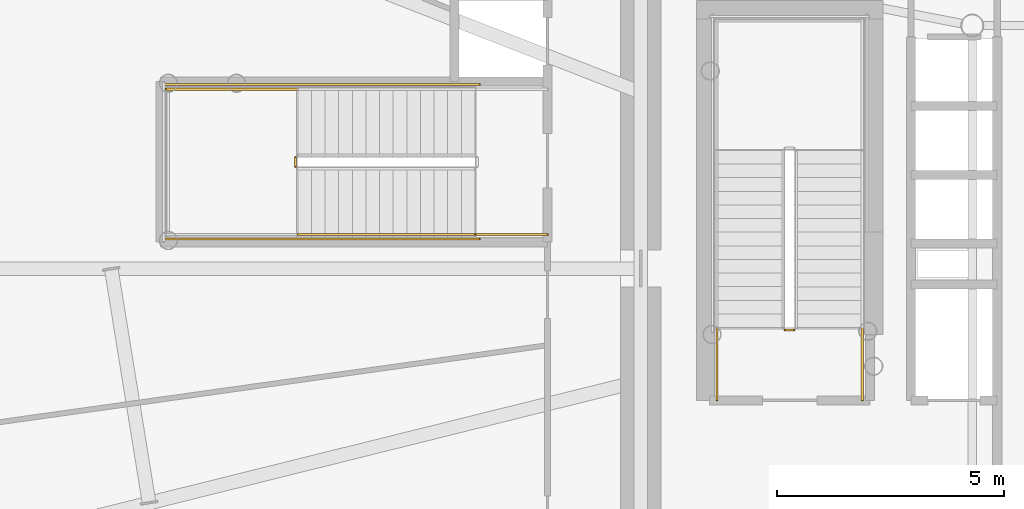
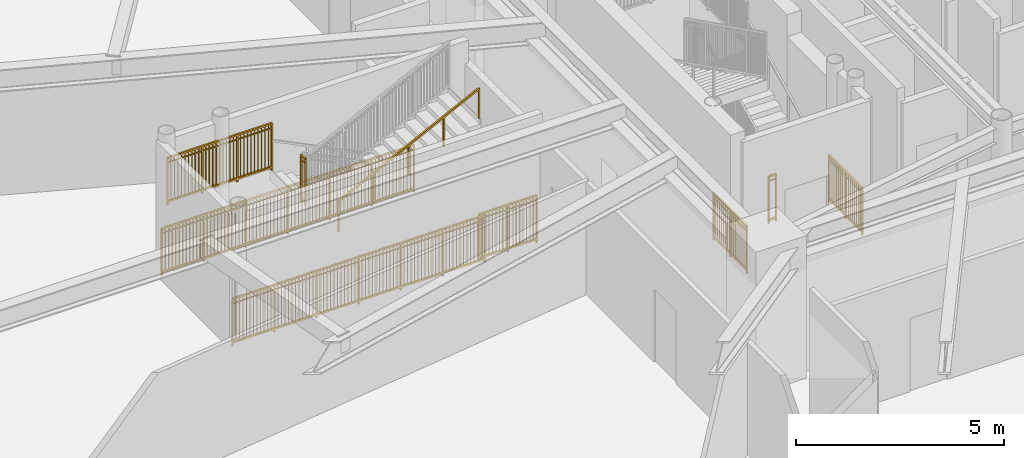
# One storey, part 25 of 35: 9 railings.
"""IFC4 building model written with IfcOpenShell, lengths in metres."""

from ifc_helpers import new_model, si_unit, direction, frame, origin, origin_2d, place, context, subcontext, project, spatial, rectangle, extrude, source, transform, mapped, material, type_object, element, save


model = new_model("IFC4")

# Units and contexts
model_context = context("Model", 3, precision=1e-05, world=origin(), true_north=direction((0.0, 1.0)))
body_context = subcontext(model_context, "Body", "Model", "MODEL_VIEW")
ifc_project = project(units=[si_unit("LENGTHUNIT", "METRE"), si_unit("AREAUNIT", "SQUARE_METRE"), si_unit("VOLUMEUNIT", "CUBIC_METRE"), si_unit("PLANEANGLEUNIT", "RADIAN"), si_unit("MASSUNIT", "GRAM", prefix="KILO")], contexts=[model_context])

# Site, building, storey
site_placement = place(None, origin())
site = spatial("IfcSite", under=ifc_project, at=site_placement, CompositionType="ELEMENT")
building_placement = place(site_placement, origin())
building = spatial("IfcBuilding", under=site, at=building_placement, Name="Linh Dai School and Residence Tower", CompositionType="ELEMENT")
storey_placement = place(building_placement, frame((0.0, 0.0, 49.199951171875)))
storey = spatial("IfcBuildingStorey", under=building, at=storey_placement, Name="L11", CompositionType="ELEMENT", Elevation=49.199951171875)

# Railings
ifc_material_1 = material(Name="Structural Steel S355JR", Category="steel")
railing_type_1 = type_object("IfcRailingType", Name="RL-ST-GUARD-1400", PredefinedType="GUARDRAIL", material=ifc_material_1)
shared_shape_1 = source(origin(), body_context, "Body", "SweptSolid", [
    extrude(rectangle(XDim=0.048095703125, YDim=0.048095703125, at=origin_2d()), frame((0.0, 0.0, 1.3759765625), z_axis=(-1.0, 0.0, 0.0), x_axis=(0.0, -1.0, 0.0)), (0.0, 0.0, 1.0), 0.199951171875),
    extrude(rectangle(XDim=0.048095703125, YDim=0.048095703125, at=origin_2d()), frame((0.0, 0.0, 0.10009765625), z_axis=(-1.0, 0.0, 0.0), x_axis=(0.0, -1.0, 0.0)), (0.0, 0.0, 1.0), 0.199951171875),
    extrude(rectangle(XDim=0.030029296875, YDim=0.030029296875, at=origin_2d()), frame((0.0, 0.0, 1.239990234375), z_axis=(-1.0, 0.0, 0.0), x_axis=(0.0, -1.0, 0.0)), (0.0, 0.0, 1.0), 0.199951171875),
    extrude(rectangle(XDim=0.0419921875, YDim=0.0419921875, at=origin_2d()), origin(), (0.0, 0.0, 1.0), 1.3759765625),
    extrude(rectangle(XDim=0.0419921875, YDim=0.0419921875, at=origin_2d()), frame((-0.199951171875, 0.0, 0.0)), (0.0, 0.0, 1.0), 1.3759765625),
])
railing_1_placement = place(storey_placement, frame((29.429931640625, 25.64990234375, 0.0)))
element("IfcRailing", 1, at=railing_1_placement, inside=storey, type_object=railing_type_1, Name="L11 ST1 stair guard 7", PredefinedType="GUARDRAIL", context=body_context, shape_type="MappedRepresentation", body=[
    mapped(shared_shape_1, transform((0.0, 0.0, 0.0), x_axis=(1.0, 0.0, 0.0), y_axis=(0.0, 1.0, 0.0), z_axis=(0.0, 0.0, 1.0), scale=1.0)),
])
shared_shape_2 = source(origin(), body_context, "Body", "SweptSolid", [
    extrude(rectangle(XDim=0.048095703125, YDim=0.048095703125, at=origin_2d()), frame((0.0, 0.0, 1.3759765625), z_axis=(0.0, 1.0, 0.0), x_axis=(-1.0, 0.0, 0.0)), (0.0, 0.0, 1.0), 1.599853515625),
    extrude(rectangle(XDim=0.048095703125, YDim=0.048095703125, at=origin_2d()), frame((0.0, 0.0, 0.10009765625), z_axis=(0.0, 1.0, 0.0), x_axis=(-1.0, 0.0, 0.0)), (0.0, 0.0, 1.0), 1.599853515625),
    extrude(rectangle(XDim=0.030029296875, YDim=0.030029296875, at=origin_2d()), frame((0.0, 0.0, 1.239990234375), z_axis=(0.0, 1.0, 0.0), x_axis=(-1.0, 0.0, 0.0)), (0.0, 0.0, 1.0), 1.599853515625),
    extrude(rectangle(XDim=0.02001953125, YDim=0.02001953125, at=origin_2d()), frame((0.0, 0.093994140625, 0.10009765625)), (0.0, 0.0, 1.0), 1.251708984375),
    extrude(rectangle(XDim=0.02001953125, YDim=0.02001953125, at=origin_2d()), frame((0.0, 0.188232421875, 0.10009765625)), (0.0, 0.0, 1.0), 1.251708984375),
    extrude(rectangle(XDim=0.02001953125, YDim=0.02001953125, at=origin_2d()), frame((0.0, 0.2822265625, 0.10009765625)), (0.0, 0.0, 1.0), 1.251708984375),
    extrude(rectangle(XDim=0.02001953125, YDim=0.02001953125, at=origin_2d()), frame((0.0, 0.37646484375, 0.10009765625)), (0.0, 0.0, 1.0), 1.251708984375),
    extrude(rectangle(XDim=0.02001953125, YDim=0.02001953125, at=origin_2d()), frame((0.0, 0.470458984375, 0.10009765625)), (0.0, 0.0, 1.0), 1.251708984375),
    extrude(rectangle(XDim=0.02001953125, YDim=0.02001953125, at=origin_2d()), frame((0.0, 0.564697265625, 0.10009765625)), (0.0, 0.0, 1.0), 1.251708984375),
    extrude(rectangle(XDim=0.02001953125, YDim=0.02001953125, at=origin_2d()), frame((0.0, 0.65869140625, 0.10009765625)), (0.0, 0.0, 1.0), 1.251708984375),
    extrude(rectangle(XDim=0.02001953125, YDim=0.02001953125, at=origin_2d()), frame((0.0, 0.7529296875, 0.10009765625)), (0.0, 0.0, 1.0), 1.251708984375),
    extrude(rectangle(XDim=0.02001953125, YDim=0.02001953125, at=origin_2d()), frame((0.0, 0.846923828125, 0.10009765625)), (0.0, 0.0, 1.0), 1.251708984375),
    extrude(rectangle(XDim=0.02001953125, YDim=0.02001953125, at=origin_2d()), frame((0.0, 0.941162109375, 0.10009765625)), (0.0, 0.0, 1.0), 1.251708984375),
    extrude(rectangle(XDim=0.02001953125, YDim=0.02001953125, at=origin_2d()), frame((0.0, 1.03515625, 0.10009765625)), (0.0, 0.0, 1.0), 1.251708984375),
    extrude(rectangle(XDim=0.02001953125, YDim=0.02001953125, at=origin_2d()), frame((0.0, 1.12939453125, 0.10009765625)), (0.0, 0.0, 1.0), 1.251708984375),
    extrude(rectangle(XDim=0.02001953125, YDim=0.02001953125, at=origin_2d()), frame((0.0, 1.223388671875, 0.10009765625)), (0.0, 0.0, 1.0), 1.251708984375),
    extrude(rectangle(XDim=0.02001953125, YDim=0.02001953125, at=origin_2d()), frame((0.0, 1.317626953125, 0.10009765625)), (0.0, 0.0, 1.0), 1.251708984375),
    extrude(rectangle(XDim=0.02001953125, YDim=0.02001953125, at=origin_2d()), frame((0.0, 1.41162109375, 0.10009765625)), (0.0, 0.0, 1.0), 1.251708984375),
    extrude(rectangle(XDim=0.02001953125, YDim=0.02001953125, at=origin_2d()), frame((0.0, 1.505859375, 0.10009765625)), (0.0, 0.0, 1.0), 1.251708984375),
    extrude(rectangle(XDim=0.0419921875, YDim=0.0419921875, at=origin_2d()), origin(), (0.0, 0.0, 1.0), 1.3759765625),
    extrude(rectangle(XDim=0.0419921875, YDim=0.0419921875, at=origin_2d()), frame((0.0, 0.7998046875, 0.0)), (0.0, 0.0, 1.0), 1.3759765625),
    extrude(rectangle(XDim=0.0419921875, YDim=0.0419921875, at=origin_2d()), frame((0.0, 1.599853515625, 0.0)), (0.0, 0.0, 1.0), 1.3759765625),
])
for number, where, name in (
    (2, (30.929931640625, 24.10009765625, 0.0), "L11 ST1 stair guard 8"),
    (3, (27.72998046875, 24.10009765625, 0.0), "L11 ST1 stair guard 9"),
):
    element("IfcRailing", number, at=place(storey_placement, frame(where)), inside=storey, type_object=railing_type_1, Name=name, PredefinedType="GUARDRAIL", context=body_context, shape_type="MappedRepresentation", body=[
        mapped(shared_shape_2, transform((0.0, 0.0, 0.0), x_axis=(1.0, 0.0, 0.0), y_axis=(0.0, 1.0, 0.0), z_axis=(0.0, 0.0, 1.0), scale=1.0)),
    ])
shared_shape_3 = source(origin(), body_context, "Body", "SweptSolid", [
    extrude(rectangle(XDim=0.048095703125, YDim=0.048095703125, at=origin_2d()), frame((0.0, 0.0, 1.3759765625), z_axis=(0.0, -1.0, 0.0), x_axis=(1.0, 0.0, 0.0)), (0.0, 0.0, 1.0), 0.199951171875),
    extrude(rectangle(XDim=0.048095703125, YDim=0.048095703125, at=origin_2d()), frame((0.0, 0.0, 0.10009765625), z_axis=(0.0, -1.0, 0.0), x_axis=(1.0, 0.0, 0.0)), (0.0, 0.0, 1.0), 0.199951171875),
    extrude(rectangle(XDim=0.030029296875, YDim=0.030029296875, at=origin_2d()), frame((0.0, 0.0, 1.239990234375), z_axis=(0.0, -1.0, 0.0), x_axis=(1.0, 0.0, 0.0)), (0.0, 0.0, 1.0), 0.199951171875),
    extrude(rectangle(XDim=0.0419921875, YDim=0.0419921875, at=origin_2d()), origin(), (0.0, 0.0, 1.0), 1.3759765625),
    extrude(rectangle(XDim=0.0419921875, YDim=0.0419921875, at=origin_2d()), frame((0.0, -0.199951171875, 0.0)), (0.0, 0.0, 1.0), 1.3759765625),
])
railing_2_placement = place(storey_placement, frame((18.449951171875, 29.449951171875, 2.10009765625)))
element("IfcRailing", 4, at=railing_2_placement, inside=storey, type_object=railing_type_1, Name="L11 STS1 stair guard 2", PredefinedType="GUARDRAIL", context=body_context, shape_type="MappedRepresentation", body=[
    mapped(shared_shape_3, transform((0.0, 0.0, 0.0), x_axis=(1.0, 0.0, 0.0), y_axis=(0.0, 1.0, 0.0), z_axis=(0.0, 0.0, 1.0), scale=1.0)),
])
shared_shape_4 = source(origin(), body_context, "Body", "SweptSolid", [
    extrude(rectangle(XDim=0.048095703125, YDim=0.048095703125, at=origin_2d()), frame((0.0, 0.0, 1.3759765625), z_axis=(-1.0, 0.0, 0.0), x_axis=(0.0, -1.0, 0.0)), (0.0, 0.0, 1.0), 1.60009765625),
    extrude(rectangle(XDim=0.048095703125, YDim=0.048095703125, at=origin_2d()), frame((0.0, 0.0, 0.10009765625), z_axis=(-1.0, 0.0, 0.0), x_axis=(0.0, -1.0, 0.0)), (0.0, 0.0, 1.0), 1.60009765625),
    extrude(rectangle(XDim=0.030029296875, YDim=0.030029296875, at=origin_2d()), frame((0.0, 0.0, 1.239990234375), z_axis=(-1.0, 0.0, 0.0), x_axis=(0.0, -1.0, 0.0)), (0.0, 0.0, 1.0), 1.60009765625),
    extrude(rectangle(XDim=0.02001953125, YDim=0.02001953125, at=origin_2d()), frame((-0.09423828125, 0.0, 0.10009765625)), (0.0, 0.0, 1.0), 1.251708984375),
    extrude(rectangle(XDim=0.02001953125, YDim=0.02001953125, at=origin_2d()), frame((-0.188232421875, 0.0, 0.10009765625)), (0.0, 0.0, 1.0), 1.251708984375),
    extrude(rectangle(XDim=0.02001953125, YDim=0.02001953125, at=origin_2d()), frame((-0.282470703125, 0.0, 0.10009765625)), (0.0, 0.0, 1.0), 1.251708984375),
    extrude(rectangle(XDim=0.02001953125, YDim=0.02001953125, at=origin_2d()), frame((-0.37646484375, 0.0, 0.10009765625)), (0.0, 0.0, 1.0), 1.251708984375),
    extrude(rectangle(XDim=0.02001953125, YDim=0.02001953125, at=origin_2d()), frame((-0.470703125, 0.0, 0.10009765625)), (0.0, 0.0, 1.0), 1.251708984375),
    extrude(rectangle(XDim=0.02001953125, YDim=0.02001953125, at=origin_2d()), frame((-0.564697265625, 0.0, 0.10009765625)), (0.0, 0.0, 1.0), 1.251708984375),
    extrude(rectangle(XDim=0.02001953125, YDim=0.02001953125, at=origin_2d()), frame((-0.658935546875, 0.0, 0.10009765625)), (0.0, 0.0, 1.0), 1.251708984375),
    extrude(rectangle(XDim=0.02001953125, YDim=0.02001953125, at=origin_2d()), frame((-0.7529296875, 0.0, 0.10009765625)), (0.0, 0.0, 1.0), 1.251708984375),
    extrude(rectangle(XDim=0.02001953125, YDim=0.02001953125, at=origin_2d()), frame((-0.84716796875, 0.0, 0.10009765625)), (0.0, 0.0, 1.0), 1.251708984375),
    extrude(rectangle(XDim=0.02001953125, YDim=0.02001953125, at=origin_2d()), frame((-0.941162109375, 0.0, 0.10009765625)), (0.0, 0.0, 1.0), 1.251708984375),
    extrude(rectangle(XDim=0.02001953125, YDim=0.02001953125, at=origin_2d()), frame((-1.035400390625, 0.0, 0.10009765625)), (0.0, 0.0, 1.0), 1.251708984375),
    extrude(rectangle(XDim=0.02001953125, YDim=0.02001953125, at=origin_2d()), frame((-1.12939453125, 0.0, 0.10009765625)), (0.0, 0.0, 1.0), 1.251708984375),
    extrude(rectangle(XDim=0.02001953125, YDim=0.02001953125, at=origin_2d()), frame((-1.2236328125, 0.0, 0.10009765625)), (0.0, 0.0, 1.0), 1.251708984375),
    extrude(rectangle(XDim=0.02001953125, YDim=0.02001953125, at=origin_2d()), frame((-1.317626953125, 0.0, 0.10009765625)), (0.0, 0.0, 1.0), 1.251708984375),
    extrude(rectangle(XDim=0.02001953125, YDim=0.02001953125, at=origin_2d()), frame((-1.411865234375, 0.0, 0.10009765625)), (0.0, 0.0, 1.0), 1.251708984375),
    extrude(rectangle(XDim=0.02001953125, YDim=0.02001953125, at=origin_2d()), frame((-1.505859375, 0.0, 0.10009765625)), (0.0, 0.0, 1.0), 1.251708984375),
    extrude(rectangle(XDim=0.0419921875, YDim=0.0419921875, at=origin_2d()), origin(), (0.0, 0.0, 1.0), 1.3759765625),
    extrude(rectangle(XDim=0.0419921875, YDim=0.0419921875, at=origin_2d()), frame((-0.800048828125, 0.0, 0.0)), (0.0, 0.0, 1.0), 1.3759765625),
    extrude(rectangle(XDim=0.0419921875, YDim=0.0419921875, at=origin_2d()), frame((-1.60009765625, 0.0, 0.0)), (0.0, 0.0, 1.0), 1.3759765625),
])
railing_3_placement = place(storey_placement, frame((24.0, 27.75, 0.0)))
element("IfcRailing", 5, at=railing_3_placement, inside=storey, type_object=railing_type_1, Name="L11 STS1 stair guard 9", PredefinedType="GUARDRAIL", context=body_context, shape_type="MappedRepresentation", body=[
    mapped(shared_shape_4, transform((0.0, 0.0, 0.0), x_axis=(1.0, 0.0, 0.0), y_axis=(0.0, 1.0, 0.0), z_axis=(0.0, 0.0, 1.0), scale=1.0)),
])
shared_shape_5 = source(origin(), body_context, "Body", "SweptSolid", [
    extrude(rectangle(XDim=0.048095703125, YDim=0.048095703125, at=origin_2d()), frame((0.0, 0.0, 1.3759765625), z_axis=(-1.0, 0.0, 0.0), x_axis=(0.0, -1.0, 0.0)), (0.0, 0.0, 1.0), 2.89990234375),
    extrude(rectangle(XDim=0.048095703125, YDim=0.048095703125, at=origin_2d()), frame((0.0, 0.0, 0.10009765625), z_axis=(-1.0, 0.0, 0.0), x_axis=(0.0, -1.0, 0.0)), (0.0, 0.0, 1.0), 2.89990234375),
    extrude(rectangle(XDim=0.030029296875, YDim=0.030029296875, at=origin_2d()), frame((0.0, 0.0, 1.239990234375), z_axis=(-1.0, 0.0, 0.0), x_axis=(0.0, -1.0, 0.0)), (0.0, 0.0, 1.0), 2.89990234375),
    extrude(rectangle(XDim=0.02001953125, YDim=0.02001953125, at=origin_2d()), frame((-0.0966796875, 0.0, 0.10009765625)), (0.0, 0.0, 1.0), 1.251708984375),
    extrude(rectangle(XDim=0.02001953125, YDim=0.02001953125, at=origin_2d()), frame((-0.193359375, 0.0, 0.10009765625)), (0.0, 0.0, 1.0), 1.251708984375),
    extrude(rectangle(XDim=0.02001953125, YDim=0.02001953125, at=origin_2d()), frame((-0.2900390625, 0.0, 0.10009765625)), (0.0, 0.0, 1.0), 1.251708984375),
    extrude(rectangle(XDim=0.02001953125, YDim=0.02001953125, at=origin_2d()), frame((-0.38671875, 0.0, 0.10009765625)), (0.0, 0.0, 1.0), 1.251708984375),
    extrude(rectangle(XDim=0.02001953125, YDim=0.02001953125, at=origin_2d()), frame((-0.4833984375, 0.0, 0.10009765625)), (0.0, 0.0, 1.0), 1.251708984375),
    extrude(rectangle(XDim=0.02001953125, YDim=0.02001953125, at=origin_2d()), frame((-0.580078125, 0.0, 0.10009765625)), (0.0, 0.0, 1.0), 1.251708984375),
    extrude(rectangle(XDim=0.02001953125, YDim=0.02001953125, at=origin_2d()), frame((-0.6767578125, 0.0, 0.10009765625)), (0.0, 0.0, 1.0), 1.251708984375),
    extrude(rectangle(XDim=0.02001953125, YDim=0.02001953125, at=origin_2d()), frame((-0.773193359375, 0.0, 0.10009765625)), (0.0, 0.0, 1.0), 1.251708984375),
    extrude(rectangle(XDim=0.02001953125, YDim=0.02001953125, at=origin_2d()), frame((-0.869873046875, 0.0, 0.10009765625)), (0.0, 0.0, 1.0), 1.251708984375),
    extrude(rectangle(XDim=0.02001953125, YDim=0.02001953125, at=origin_2d()), frame((-1.063232421875, 0.0, 0.10009765625)), (0.0, 0.0, 1.0), 1.251708984375),
    extrude(rectangle(XDim=0.02001953125, YDim=0.02001953125, at=origin_2d()), frame((-1.159912109375, 0.0, 0.10009765625)), (0.0, 0.0, 1.0), 1.251708984375),
    extrude(rectangle(XDim=0.02001953125, YDim=0.02001953125, at=origin_2d()), frame((-1.256591796875, 0.0, 0.10009765625)), (0.0, 0.0, 1.0), 1.251708984375),
    extrude(rectangle(XDim=0.02001953125, YDim=0.02001953125, at=origin_2d()), frame((-1.353271484375, 0.0, 0.10009765625)), (0.0, 0.0, 1.0), 1.251708984375),
    extrude(rectangle(XDim=0.02001953125, YDim=0.02001953125, at=origin_2d()), frame((-1.449951171875, 0.0, 0.10009765625)), (0.0, 0.0, 1.0), 1.251708984375),
    extrude(rectangle(XDim=0.02001953125, YDim=0.02001953125, at=origin_2d()), frame((-1.546630859375, 0.0, 0.10009765625)), (0.0, 0.0, 1.0), 1.251708984375),
    extrude(rectangle(XDim=0.02001953125, YDim=0.02001953125, at=origin_2d()), frame((-1.643310546875, 0.0, 0.10009765625)), (0.0, 0.0, 1.0), 1.251708984375),
    extrude(rectangle(XDim=0.02001953125, YDim=0.02001953125, at=origin_2d()), frame((-1.739990234375, 0.0, 0.10009765625)), (0.0, 0.0, 1.0), 1.251708984375),
    extrude(rectangle(XDim=0.02001953125, YDim=0.02001953125, at=origin_2d()), frame((-1.836669921875, 0.0, 0.10009765625)), (0.0, 0.0, 1.0), 1.251708984375),
    extrude(rectangle(XDim=0.02001953125, YDim=0.02001953125, at=origin_2d()), frame((-2.030029296875, 0.0, 0.10009765625)), (0.0, 0.0, 1.0), 1.251708984375),
    extrude(rectangle(XDim=0.02001953125, YDim=0.02001953125, at=origin_2d()), frame((-2.126708984375, 0.0, 0.10009765625)), (0.0, 0.0, 1.0), 1.251708984375),
    extrude(rectangle(XDim=0.02001953125, YDim=0.02001953125, at=origin_2d()), frame((-2.22314453125, 0.0, 0.10009765625)), (0.0, 0.0, 1.0), 1.251708984375),
    extrude(rectangle(XDim=0.02001953125, YDim=0.02001953125, at=origin_2d()), frame((-2.31982421875, 0.0, 0.10009765625)), (0.0, 0.0, 1.0), 1.251708984375),
    extrude(rectangle(XDim=0.02001953125, YDim=0.02001953125, at=origin_2d()), frame((-2.41650390625, 0.0, 0.10009765625)), (0.0, 0.0, 1.0), 1.251708984375),
    extrude(rectangle(XDim=0.02001953125, YDim=0.02001953125, at=origin_2d()), frame((-2.51318359375, 0.0, 0.10009765625)), (0.0, 0.0, 1.0), 1.251708984375),
    extrude(rectangle(XDim=0.02001953125, YDim=0.02001953125, at=origin_2d()), frame((-2.60986328125, 0.0, 0.10009765625)), (0.0, 0.0, 1.0), 1.251708984375),
    extrude(rectangle(XDim=0.02001953125, YDim=0.02001953125, at=origin_2d()), frame((-2.70654296875, 0.0, 0.10009765625)), (0.0, 0.0, 1.0), 1.251708984375),
    extrude(rectangle(XDim=0.02001953125, YDim=0.02001953125, at=origin_2d()), frame((-2.80322265625, 0.0, 0.10009765625)), (0.0, 0.0, 1.0), 1.251708984375),
    extrude(rectangle(XDim=0.0419921875, YDim=0.0419921875, at=origin_2d()), origin(), (0.0, 0.0, 1.0), 1.3759765625),
    extrude(rectangle(XDim=0.0419921875, YDim=0.0419921875, at=origin_2d()), frame((-0.966552734375, 0.0, 0.0)), (0.0, 0.0, 1.0), 1.3759765625),
    extrude(rectangle(XDim=0.0419921875, YDim=0.0419921875, at=origin_2d()), frame((-1.933349609375, 0.0, 0.0)), (0.0, 0.0, 1.0), 1.3759765625),
    extrude(rectangle(XDim=0.0419921875, YDim=0.0419921875, at=origin_2d()), frame((-2.89990234375, 0.0, 0.0)), (0.0, 0.0, 1.0), 1.3759765625),
])
railing_4_placement = place(storey_placement, frame((18.5, 30.949951171875, 2.10009765625)))
element("IfcRailing", 6, at=railing_4_placement, inside=storey, type_object=railing_type_1, Name="L11 STS1 stair guard 3", PredefinedType="GUARDRAIL", context=body_context, shape_type="MappedRepresentation", body=[
    mapped(shared_shape_5, transform((0.0, 0.0, 0.0), x_axis=(1.0, 0.0, 0.0), y_axis=(0.0, 1.0, 0.0), z_axis=(0.0, 0.0, 1.0), scale=1.0)),
])
shared_shape_6 = source(origin(), body_context, "Body", "SweptSolid", [
    extrude(rectangle(XDim=0.048095703125, YDim=0.048095703125, at=origin_2d()), frame((0.0, 0.0, 1.3759765625), z_axis=(-1.0, 0.0, 0.0), x_axis=(0.0, -1.0, 0.0)), (0.0, 0.0, 1.0), 7.0),
    extrude(rectangle(XDim=0.048095703125, YDim=0.048095703125, at=origin_2d()), frame((0.0, 0.0, 0.10009765625), z_axis=(-1.0, 0.0, 0.0), x_axis=(0.0, -1.0, 0.0)), (0.0, 0.0, 1.0), 7.0),
    extrude(rectangle(XDim=0.030029296875, YDim=0.030029296875, at=origin_2d()), frame((0.0, 0.0, 1.239990234375), z_axis=(-1.0, 0.0, 0.0), x_axis=(0.0, -1.0, 0.0)), (0.0, 0.0, 1.0), 7.0),
    extrude(rectangle(XDim=0.02001953125, YDim=0.02001953125, at=origin_2d()), frame((-0.09716796875, 0.0, 0.10009765625)), (0.0, 0.0, 1.0), 1.251708984375),
    extrude(rectangle(XDim=0.02001953125, YDim=0.02001953125, at=origin_2d()), frame((-0.1943359375, 0.0, 0.10009765625)), (0.0, 0.0, 1.0), 1.251708984375),
    extrude(rectangle(XDim=0.02001953125, YDim=0.02001953125, at=origin_2d()), frame((-0.291748046875, 0.0, 0.10009765625)), (0.0, 0.0, 1.0), 1.251708984375),
    extrude(rectangle(XDim=0.02001953125, YDim=0.02001953125, at=origin_2d()), frame((-0.388916015625, 0.0, 0.10009765625)), (0.0, 0.0, 1.0), 1.251708984375),
    extrude(rectangle(XDim=0.02001953125, YDim=0.02001953125, at=origin_2d()), frame((-0.486083984375, 0.0, 0.10009765625)), (0.0, 0.0, 1.0), 1.251708984375),
    extrude(rectangle(XDim=0.02001953125, YDim=0.02001953125, at=origin_2d()), frame((-0.583251953125, 0.0, 0.10009765625)), (0.0, 0.0, 1.0), 1.251708984375),
    extrude(rectangle(XDim=0.02001953125, YDim=0.02001953125, at=origin_2d()), frame((-0.6806640625, 0.0, 0.10009765625)), (0.0, 0.0, 1.0), 1.251708984375),
    extrude(rectangle(XDim=0.02001953125, YDim=0.02001953125, at=origin_2d()), frame((-0.77783203125, 0.0, 0.10009765625)), (0.0, 0.0, 1.0), 1.251708984375),
    extrude(rectangle(XDim=0.02001953125, YDim=0.02001953125, at=origin_2d()), frame((-0.875, 0.0, 0.10009765625)), (0.0, 0.0, 1.0), 1.251708984375),
    extrude(rectangle(XDim=0.02001953125, YDim=0.02001953125, at=origin_2d()), frame((-0.97216796875, 0.0, 0.10009765625)), (0.0, 0.0, 1.0), 1.251708984375),
    extrude(rectangle(XDim=0.02001953125, YDim=0.02001953125, at=origin_2d()), frame((-1.0693359375, 0.0, 0.10009765625)), (0.0, 0.0, 1.0), 1.251708984375),
    extrude(rectangle(XDim=0.02001953125, YDim=0.02001953125, at=origin_2d()), frame((-1.263916015625, 0.0, 0.10009765625)), (0.0, 0.0, 1.0), 1.251708984375),
    extrude(rectangle(XDim=0.02001953125, YDim=0.02001953125, at=origin_2d()), frame((-1.361083984375, 0.0, 0.10009765625)), (0.0, 0.0, 1.0), 1.251708984375),
    extrude(rectangle(XDim=0.02001953125, YDim=0.02001953125, at=origin_2d()), frame((-1.458251953125, 0.0, 0.10009765625)), (0.0, 0.0, 1.0), 1.251708984375),
    extrude(rectangle(XDim=0.02001953125, YDim=0.02001953125, at=origin_2d()), frame((-1.5556640625, 0.0, 0.10009765625)), (0.0, 0.0, 1.0), 1.251708984375),
    extrude(rectangle(XDim=0.02001953125, YDim=0.02001953125, at=origin_2d()), frame((-1.65283203125, 0.0, 0.10009765625)), (0.0, 0.0, 1.0), 1.251708984375),
    extrude(rectangle(XDim=0.02001953125, YDim=0.02001953125, at=origin_2d()), frame((-1.75, 0.0, 0.10009765625)), (0.0, 0.0, 1.0), 1.251708984375),
    extrude(rectangle(XDim=0.02001953125, YDim=0.02001953125, at=origin_2d()), frame((-1.84716796875, 0.0, 0.10009765625)), (0.0, 0.0, 1.0), 1.251708984375),
    extrude(rectangle(XDim=0.02001953125, YDim=0.02001953125, at=origin_2d()), frame((-1.9443359375, 0.0, 0.10009765625)), (0.0, 0.0, 1.0), 1.251708984375),
    extrude(rectangle(XDim=0.02001953125, YDim=0.02001953125, at=origin_2d()), frame((-2.041748046875, 0.0, 0.10009765625)), (0.0, 0.0, 1.0), 1.251708984375),
    extrude(rectangle(XDim=0.02001953125, YDim=0.02001953125, at=origin_2d()), frame((-2.138916015625, 0.0, 0.10009765625)), (0.0, 0.0, 1.0), 1.251708984375),
    extrude(rectangle(XDim=0.02001953125, YDim=0.02001953125, at=origin_2d()), frame((-2.236083984375, 0.0, 0.10009765625)), (0.0, 0.0, 1.0), 1.251708984375),
    extrude(rectangle(XDim=0.02001953125, YDim=0.02001953125, at=origin_2d()), frame((-2.4306640625, 0.0, 0.10009765625)), (0.0, 0.0, 1.0), 1.251708984375),
    extrude(rectangle(XDim=0.02001953125, YDim=0.02001953125, at=origin_2d()), frame((-2.52783203125, 0.0, 0.10009765625)), (0.0, 0.0, 1.0), 1.251708984375),
    extrude(rectangle(XDim=0.02001953125, YDim=0.02001953125, at=origin_2d()), frame((-2.625, 0.0, 0.10009765625)), (0.0, 0.0, 1.0), 1.251708984375),
    extrude(rectangle(XDim=0.02001953125, YDim=0.02001953125, at=origin_2d()), frame((-2.72216796875, 0.0, 0.10009765625)), (0.0, 0.0, 1.0), 1.251708984375),
    extrude(rectangle(XDim=0.02001953125, YDim=0.02001953125, at=origin_2d()), frame((-2.8193359375, 0.0, 0.10009765625)), (0.0, 0.0, 1.0), 1.251708984375),
    extrude(rectangle(XDim=0.02001953125, YDim=0.02001953125, at=origin_2d()), frame((-2.916748046875, 0.0, 0.10009765625)), (0.0, 0.0, 1.0), 1.251708984375),
    extrude(rectangle(XDim=0.02001953125, YDim=0.02001953125, at=origin_2d()), frame((-3.013916015625, 0.0, 0.10009765625)), (0.0, 0.0, 1.0), 1.251708984375),
    extrude(rectangle(XDim=0.02001953125, YDim=0.02001953125, at=origin_2d()), frame((-3.111083984375, 0.0, 0.10009765625)), (0.0, 0.0, 1.0), 1.251708984375),
    extrude(rectangle(XDim=0.02001953125, YDim=0.02001953125, at=origin_2d()), frame((-3.208251953125, 0.0, 0.10009765625)), (0.0, 0.0, 1.0), 1.251708984375),
    extrude(rectangle(XDim=0.02001953125, YDim=0.02001953125, at=origin_2d()), frame((-3.3056640625, 0.0, 0.10009765625)), (0.0, 0.0, 1.0), 1.251708984375),
    extrude(rectangle(XDim=0.02001953125, YDim=0.02001953125, at=origin_2d()), frame((-3.40283203125, 0.0, 0.10009765625)), (0.0, 0.0, 1.0), 1.251708984375),
    extrude(rectangle(XDim=0.02001953125, YDim=0.02001953125, at=origin_2d()), frame((-3.59716796875, 0.0, 0.10009765625)), (0.0, 0.0, 1.0), 1.251708984375),
    extrude(rectangle(XDim=0.02001953125, YDim=0.02001953125, at=origin_2d()), frame((-3.6943359375, 0.0, 0.10009765625)), (0.0, 0.0, 1.0), 1.251708984375),
    extrude(rectangle(XDim=0.02001953125, YDim=0.02001953125, at=origin_2d()), frame((-3.791748046875, 0.0, 0.10009765625)), (0.0, 0.0, 1.0), 1.251708984375),
    extrude(rectangle(XDim=0.02001953125, YDim=0.02001953125, at=origin_2d()), frame((-3.888916015625, 0.0, 0.10009765625)), (0.0, 0.0, 1.0), 1.251708984375),
    extrude(rectangle(XDim=0.02001953125, YDim=0.02001953125, at=origin_2d()), frame((-3.986083984375, 0.0, 0.10009765625)), (0.0, 0.0, 1.0), 1.251708984375),
    extrude(rectangle(XDim=0.02001953125, YDim=0.02001953125, at=origin_2d()), frame((-4.083251953125, 0.0, 0.10009765625)), (0.0, 0.0, 1.0), 1.251708984375),
    extrude(rectangle(XDim=0.02001953125, YDim=0.02001953125, at=origin_2d()), frame((-4.1806640625, 0.0, 0.10009765625)), (0.0, 0.0, 1.0), 1.251708984375),
    extrude(rectangle(XDim=0.02001953125, YDim=0.02001953125, at=origin_2d()), frame((-4.27783203125, 0.0, 0.10009765625)), (0.0, 0.0, 1.0), 1.251708984375),
    extrude(rectangle(XDim=0.02001953125, YDim=0.02001953125, at=origin_2d()), frame((-4.375, 0.0, 0.10009765625)), (0.0, 0.0, 1.0), 1.251708984375),
    extrude(rectangle(XDim=0.02001953125, YDim=0.02001953125, at=origin_2d()), frame((-4.47216796875, 0.0, 0.10009765625)), (0.0, 0.0, 1.0), 1.251708984375),
    extrude(rectangle(XDim=0.02001953125, YDim=0.02001953125, at=origin_2d()), frame((-4.5693359375, 0.0, 0.10009765625)), (0.0, 0.0, 1.0), 1.251708984375),
    extrude(rectangle(XDim=0.02001953125, YDim=0.02001953125, at=origin_2d()), frame((-4.763916015625, 0.0, 0.10009765625)), (0.0, 0.0, 1.0), 1.251708984375),
    extrude(rectangle(XDim=0.02001953125, YDim=0.02001953125, at=origin_2d()), frame((-4.861083984375, 0.0, 0.10009765625)), (0.0, 0.0, 1.0), 1.251708984375),
    extrude(rectangle(XDim=0.02001953125, YDim=0.02001953125, at=origin_2d()), frame((-4.958251953125, 0.0, 0.10009765625)), (0.0, 0.0, 1.0), 1.251708984375),
    extrude(rectangle(XDim=0.02001953125, YDim=0.02001953125, at=origin_2d()), frame((-5.0556640625, 0.0, 0.10009765625)), (0.0, 0.0, 1.0), 1.251708984375),
    extrude(rectangle(XDim=0.02001953125, YDim=0.02001953125, at=origin_2d()), frame((-5.15283203125, 0.0, 0.10009765625)), (0.0, 0.0, 1.0), 1.251708984375),
    extrude(rectangle(XDim=0.02001953125, YDim=0.02001953125, at=origin_2d()), frame((-5.25, 0.0, 0.10009765625)), (0.0, 0.0, 1.0), 1.251708984375),
    extrude(rectangle(XDim=0.02001953125, YDim=0.02001953125, at=origin_2d()), frame((-5.34716796875, 0.0, 0.10009765625)), (0.0, 0.0, 1.0), 1.251708984375),
    extrude(rectangle(XDim=0.02001953125, YDim=0.02001953125, at=origin_2d()), frame((-5.4443359375, 0.0, 0.10009765625)), (0.0, 0.0, 1.0), 1.251708984375),
    extrude(rectangle(XDim=0.02001953125, YDim=0.02001953125, at=origin_2d()), frame((-5.541748046875, 0.0, 0.10009765625)), (0.0, 0.0, 1.0), 1.251708984375),
    extrude(rectangle(XDim=0.02001953125, YDim=0.02001953125, at=origin_2d()), frame((-5.638916015625, 0.0, 0.10009765625)), (0.0, 0.0, 1.0), 1.251708984375),
    extrude(rectangle(XDim=0.02001953125, YDim=0.02001953125, at=origin_2d()), frame((-5.736083984375, 0.0, 0.10009765625)), (0.0, 0.0, 1.0), 1.251708984375),
    extrude(rectangle(XDim=0.02001953125, YDim=0.02001953125, at=origin_2d()), frame((-5.9306640625, 0.0, 0.10009765625)), (0.0, 0.0, 1.0), 1.251708984375),
    extrude(rectangle(XDim=0.02001953125, YDim=0.02001953125, at=origin_2d()), frame((-6.02783203125, 0.0, 0.10009765625)), (0.0, 0.0, 1.0), 1.251708984375),
    extrude(rectangle(XDim=0.02001953125, YDim=0.02001953125, at=origin_2d()), frame((-6.125, 0.0, 0.10009765625)), (0.0, 0.0, 1.0), 1.251708984375),
    extrude(rectangle(XDim=0.02001953125, YDim=0.02001953125, at=origin_2d()), frame((-6.22216796875, 0.0, 0.10009765625)), (0.0, 0.0, 1.0), 1.251708984375),
    extrude(rectangle(XDim=0.02001953125, YDim=0.02001953125, at=origin_2d()), frame((-6.3193359375, 0.0, 0.10009765625)), (0.0, 0.0, 1.0), 1.251708984375),
    extrude(rectangle(XDim=0.02001953125, YDim=0.02001953125, at=origin_2d()), frame((-6.416748046875, 0.0, 0.10009765625)), (0.0, 0.0, 1.0), 1.251708984375),
    extrude(rectangle(XDim=0.02001953125, YDim=0.02001953125, at=origin_2d()), frame((-6.513916015625, 0.0, 0.10009765625)), (0.0, 0.0, 1.0), 1.251708984375),
    extrude(rectangle(XDim=0.02001953125, YDim=0.02001953125, at=origin_2d()), frame((-6.611083984375, 0.0, 0.10009765625)), (0.0, 0.0, 1.0), 1.251708984375),
    extrude(rectangle(XDim=0.02001953125, YDim=0.02001953125, at=origin_2d()), frame((-6.708251953125, 0.0, 0.10009765625)), (0.0, 0.0, 1.0), 1.251708984375),
    extrude(rectangle(XDim=0.02001953125, YDim=0.02001953125, at=origin_2d()), frame((-6.8056640625, 0.0, 0.10009765625)), (0.0, 0.0, 1.0), 1.251708984375),
    extrude(rectangle(XDim=0.02001953125, YDim=0.02001953125, at=origin_2d()), frame((-6.90283203125, 0.0, 0.10009765625)), (0.0, 0.0, 1.0), 1.251708984375),
    extrude(rectangle(XDim=0.0419921875, YDim=0.0419921875, at=origin_2d()), origin(), (0.0, 0.0, 1.0), 1.3759765625),
    extrude(rectangle(XDim=0.0419921875, YDim=0.0419921875, at=origin_2d()), frame((-1.166748046875, 0.0, 0.0)), (0.0, 0.0, 1.0), 1.3759765625),
    extrude(rectangle(XDim=0.0419921875, YDim=0.0419921875, at=origin_2d()), frame((-2.333251953125, 0.0, 0.0)), (0.0, 0.0, 1.0), 1.3759765625),
    extrude(rectangle(XDim=0.0419921875, YDim=0.0419921875, at=origin_2d()), frame((-3.5, 0.0, 0.0)), (0.0, 0.0, 1.0), 1.3759765625),
    extrude(rectangle(XDim=0.0419921875, YDim=0.0419921875, at=origin_2d()), frame((-4.666748046875, 0.0, 0.0)), (0.0, 0.0, 1.0), 1.3759765625),
    extrude(rectangle(XDim=0.0419921875, YDim=0.0419921875, at=origin_2d()), frame((-5.833251953125, 0.0, 0.0)), (0.0, 0.0, 1.0), 1.3759765625),
    extrude(rectangle(XDim=0.0419921875, YDim=0.0419921875, at=origin_2d()), frame((-7.0, 0.0, 0.0)), (0.0, 0.0, 1.0), 1.3759765625),
])
for number, where, name in (
    (7, (22.5, 31.050048828125, 0.0), "L11 STS1 stair guard 10"),
    (8, (22.5, 27.64990234375, 0.0), "L11 STS1 stair guard 11"),
):
    element("IfcRailing", number, at=place(storey_placement, frame(where)), inside=storey, type_object=railing_type_1, Name=name, PredefinedType="GUARDRAIL", context=body_context, shape_type="MappedRepresentation", body=[
        mapped(shared_shape_6, transform((0.0, 0.0, 0.0), x_axis=(1.0, 0.0, 0.0), y_axis=(0.0, 1.0, 0.0), z_axis=(0.0, 0.0, 1.0), scale=1.0)),
    ])
ifc_material_2 = material(Name="Brushed Stainless Steel Handrail", Category="steel")
railing_type_2 = type_object("IfcRailingType", Name="RL-ST-HANDRAIL-900", PredefinedType="HANDRAIL", material=ifc_material_2)
shared_shape_7 = source(origin(), body_context, "Body", "SweptSolid", [
    extrude(rectangle(XDim=0.048095703125, YDim=0.048095703125, at=origin_2d()), frame((0.0, 0.0, 0.8759765625), z_axis=(0.894427191, 0.0, 0.4472135955), x_axis=(0.0, 1.0, 0.0)), (0.0, 0.0, 1.0), 4.360107421875),
    extrude(rectangle(XDim=0.0419921875, YDim=0.0419921875, at=origin_2d()), origin(), (0.0, 0.0, 1.0), 0.8759765625),
    extrude(rectangle(XDim=0.0419921875, YDim=0.0419921875, at=origin_2d()), frame((0.97509765625, 0.0, 0.487548828125)), (0.0, 0.0, 1.0), 0.8759765625),
    extrude(rectangle(XDim=0.0419921875, YDim=0.0419921875, at=origin_2d()), frame((1.949951171875, 0.0, 0.97509765625)), (0.0, 0.0, 1.0), 0.8759765625),
    extrude(rectangle(XDim=0.0419921875, YDim=0.0419921875, at=origin_2d()), frame((2.9248046875, 0.0, 1.46240234375)), (0.0, 0.0, 1.0), 0.8759765625),
    extrude(rectangle(XDim=0.0419921875, YDim=0.0419921875, at=origin_2d()), frame((3.89990234375, 0.0, 1.949951171875)), (0.0, 0.0, 1.0), 0.8759765625),
])
railing_5_placement = place(storey_placement, frame((18.5, 27.75, 2.25)))
element("IfcRailing", 9, at=railing_5_placement, inside=storey, type_object=railing_type_2, Name="L11 STS1 stair handrail 2", PredefinedType="HANDRAIL", context=body_context, shape_type="MappedRepresentation", body=[
    mapped(shared_shape_7, transform((0.0, 0.0, 0.0), x_axis=(1.0, 0.0, 0.0), y_axis=(0.0, 1.0, 0.0), z_axis=(0.0, 0.0, 1.0), scale=1.0)),
])

save(model, "model.ifc")
